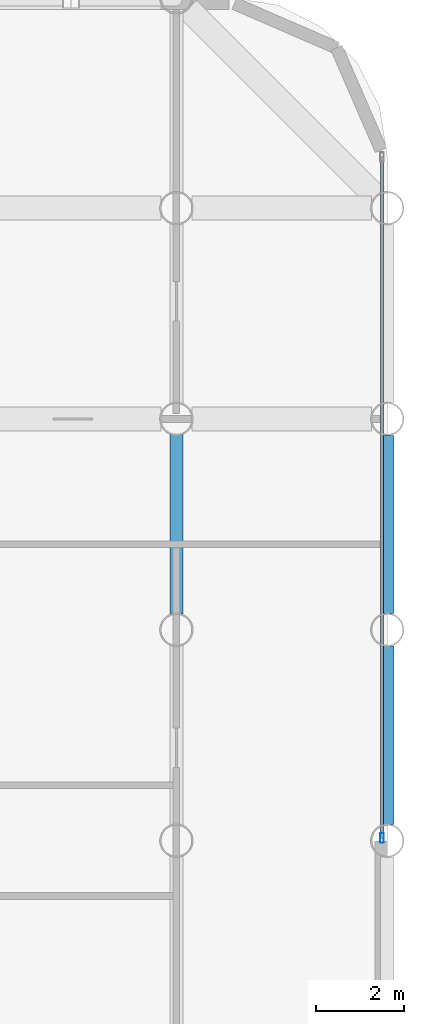
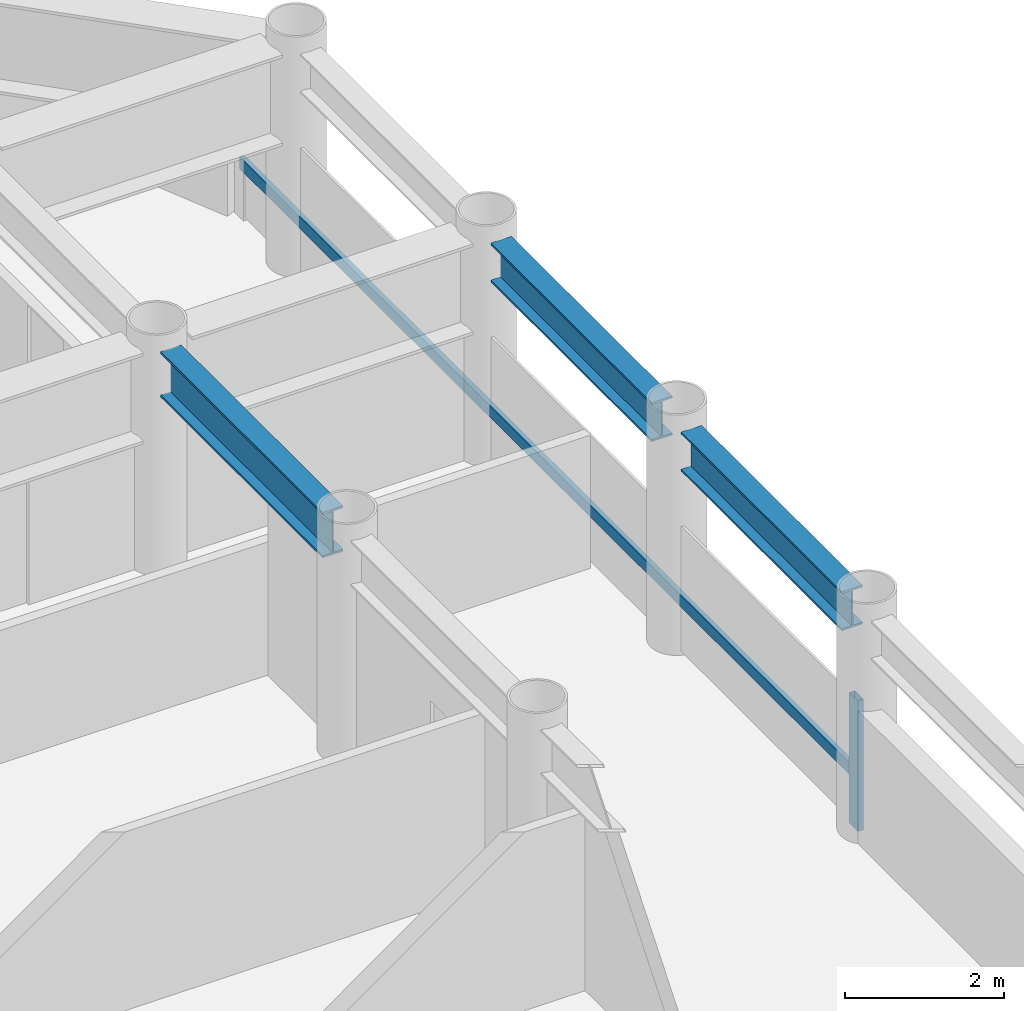
# One storey, part 8 of 21: 3 beams, 2 members, 1 element without a shape of its own.
"""IFC4 building model written with IfcOpenShell, lengths in metres."""

from ifc_helpers import new_model, si_unit, direction, frame, origin, origin_2d, place, context, subcontext, project, spatial, hollow_rectangle, i_section, extrude, material, layer, layer_set, material_profile, profile_set, type_object, element, aggregate, save


model = new_model("IFC4")

# Units and contexts
model_context = context("Model", 3, precision=1e-05, world=origin(), true_north=direction((0.0, 1.0)))
body_context = subcontext(model_context, "Body", "Model", "MODEL_VIEW")
ifc_project = project(units=[si_unit("LENGTHUNIT", "METRE"), si_unit("AREAUNIT", "SQUARE_METRE"), si_unit("VOLUMEUNIT", "CUBIC_METRE"), si_unit("PLANEANGLEUNIT", "RADIAN"), si_unit("MASSUNIT", "GRAM", prefix="KILO")], contexts=[model_context])

# Site, building, storey
site_placement = place(None, origin())
site = spatial("IfcSite", under=ifc_project, at=site_placement, CompositionType="ELEMENT")
building_placement = place(site_placement, origin())
building = spatial("IfcBuilding", under=site, at=building_placement, Name="Kallvorn Hotel Tower", CompositionType="ELEMENT")
storey_placement = place(building_placement, frame((0.0, 0.0, 85.5)))
storey = spatial("IfcBuildingStorey", under=building, at=storey_placement, Name="L20", CompositionType="ELEMENT", Elevation=85.5)

# Beams
ifc_material_1 = material(Name="Structural steel S355JR", Category="steel")
ifc_material_profile_1 = material_profile(ifc_material_1, i_section(OverallWidth=0.300048828125, OverallDepth=0.60009765625, WebThickness=0.015380859375, FlangeThickness=0.030029296875, at=origin_2d()), Name="HE 600 B")
ifc_profile_set_1 = profile_set([ifc_material_profile_1], Name="Structural steel S355JR")
beam_type_1 = type_object("IfcBeamType", Name="BM_HE600B", PredefinedType="SPANDREL", material=ifc_profile_set_1)
beam_1_placement = place(storey_placement, frame((33.60009765625, 0.37109375, 3.14990234375), z_axis=(0.0, 1.0, 0.0), x_axis=(-1.0, 0.0, 0.0)))
element("IfcBeam", 1, at=beam_1_placement, inside=storey, type_object=beam_type_1, Name="L21 Perimeter Spandrel 186", PredefinedType="SPANDREL", context=body_context, shape_type="SweptSolid", body=[
    extrude(i_section(OverallWidth=0.300048828125, OverallDepth=0.60009765625, WebThickness=0.015380859375, FlangeThickness=0.030029296875, at=origin_2d()), origin(), (0.0, 0.0, 1.0), 4.057861328125),
])
beam_2_placement = place(storey_placement, frame((33.60009765625, 5.1708984375, 3.14990234375), z_axis=(0.0, 1.0, 0.0), x_axis=(-1.0, 0.0, 0.0)))
element("IfcBeam", 2, at=beam_2_placement, inside=storey, type_object=beam_type_1, Name="L21 Perimeter Spandrel 187", PredefinedType="SPANDREL", context=body_context, shape_type="SweptSolid", body=[
    extrude(i_section(OverallWidth=0.300048828125, OverallDepth=0.60009765625, WebThickness=0.015380859375, FlangeThickness=0.030029296875, at=origin_2d()), origin(), (0.0, 0.0, 1.0), 4.05810546875),
])
ifc_material_2 = material(Name="Structural steel S355JR", Category="steel")
ifc_material_profile_2 = material_profile(ifc_material_2, i_section(OverallWidth=0.300048828125, OverallDepth=0.699951171875, WebThickness=0.01708984375, FlangeThickness=0.031982421875, at=origin_2d()), Name="HE 700 B")
ifc_profile_set_2 = profile_set([ifc_material_profile_2], Name="Structural steel S355JR")
beam_type_2 = type_object("IfcBeamType", Name="BM_HE700B", PredefinedType="BEAM", material=ifc_profile_set_2)
beam_3_placement = place(storey_placement, frame((28.800048828125, 5.156005859375, 3.10009765625), z_axis=(0.0, 1.0, 0.0), x_axis=(-1.0, 0.0, 0.0)))
element("IfcBeam", 3, at=beam_3_placement, inside=storey, type_object=beam_type_2, Name="L21 Primary Y-Girder 148", PredefinedType="BEAM", context=body_context, shape_type="SweptSolid", body=[
    extrude(i_section(OverallWidth=0.300048828125, OverallDepth=0.699951171875, WebThickness=0.01708984375, FlangeThickness=0.031982421875, at=origin_2d()), origin(), (0.0, 0.0, 1.0), 4.087890625),
])

# Curtain wall, members
ifc_material_3 = material(Name="Thermally broken black-anodised aluminium AA 6063-T6", Category="aluminium")
ifc_layer = layer(ifc_material_3, 0.199951171875)
ifc_layer_set = layer_set([ifc_layer], Name="CW_SYS_3_HOTEL_LOW")
curtain_wall_type = type_object("IfcCurtainWallType", Name="CW_SYS_3_HOTEL_LOW", PredefinedType="USERDEFINED", material=ifc_layer_set)
curtain_wall_placement = place(storey_placement, origin())
curtain_wall = element("IfcCurtainWall", 4, at=curtain_wall_placement, inside=storey, type_object=curtain_wall_type, Name="L20 Dark-Glass Curtain Wall CW-L20-EN", ObjectType="UNITISED CURTAIN WALL", PredefinedType="USERDEFINED")
ifc_material_4 = material(Name="Thermally broken black-anodised aluminium AA 6063-T6", Category="aluminium")
ifc_material_profile_3 = material_profile(ifc_material_4, hollow_rectangle(XDim=0.080078125, YDim=0.219970703125, WallThickness=0.0048828125, at=origin_2d()), Name="MUL 220x80")
ifc_profile_set_3 = profile_set([ifc_material_profile_3], Name="Thermally broken black-anodised aluminium AA 6063-T6")
member_type_1 = type_object("IfcMemberType", Name="CW_MULLION_220x80", PredefinedType="MULLION", material=ifc_profile_set_3)
member_1_placement = place(storey_placement, frame((33.47998046875, 0.06005859375, 0.02001953125), z_axis=(0.0, 0.0, 1.0), x_axis=(1.0, 0.0, 0.0)))
member_1 = element("IfcMember", 5, at=member_1_placement, type_object=member_type_1, Name="CW-L20-EN Mullion 00", PredefinedType="MULLION", context=body_context, shape_type="SweptSolid", body=[
    extrude(hollow_rectangle(XDim=0.080078125, YDim=0.219970703125, WallThickness=0.0048828125, at=origin_2d()), origin(), (0.0, 0.0, 1.0), 2.010009765625),
])
ifc_material_5 = material(Name="Thermally broken black-anodised aluminium AA 6063-T6", Category="aluminium")
ifc_material_profile_4 = material_profile(ifc_material_5, hollow_rectangle(XDim=0.070068359375, YDim=0.179931640625, WallThickness=0.00390625, at=origin_2d()), Name="TRN 180x70")
ifc_profile_set_4 = profile_set([ifc_material_profile_4], Name="Thermally broken black-anodised aluminium AA 6063-T6")
member_type_2 = type_object("IfcMemberType", Name="CW_TRANSOM_180x70", PredefinedType="USERDEFINED", material=ifc_profile_set_4)
member_2_placement = place(storey_placement, frame((33.47998046875, 0.06005859375, 0.85009765625), z_axis=(0.0, 1.0, 0.0), x_axis=(-1.0, 0.0, 0.0)))
member_2 = element("IfcMember", 6, at=member_2_placement, type_object=member_type_2, Name="CW-L20-EN Transom 00M", ObjectType="TRANSOM", PredefinedType="USERDEFINED", context=body_context, shape_type="SweptSolid", body=[
    extrude(hollow_rectangle(XDim=0.070068359375, YDim=0.179931640625, WallThickness=0.00390625, at=origin_2d()), origin(), (0.0, 0.0, 1.0), 15.5),
])
aggregate(curtain_wall, [member_1, member_2])

save(model, "model.ifc")
